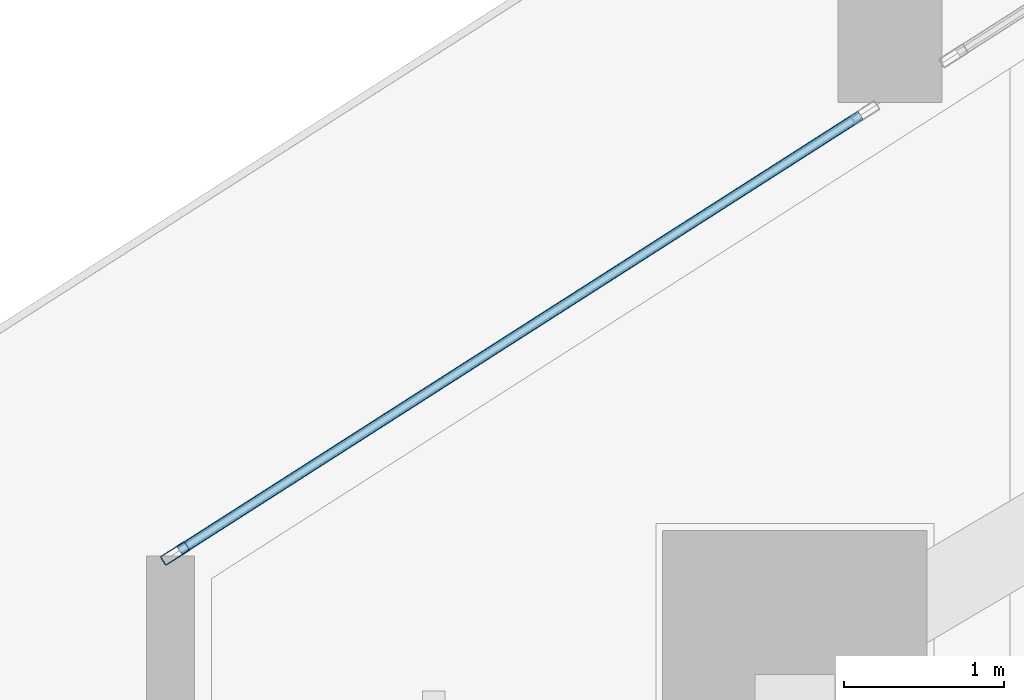
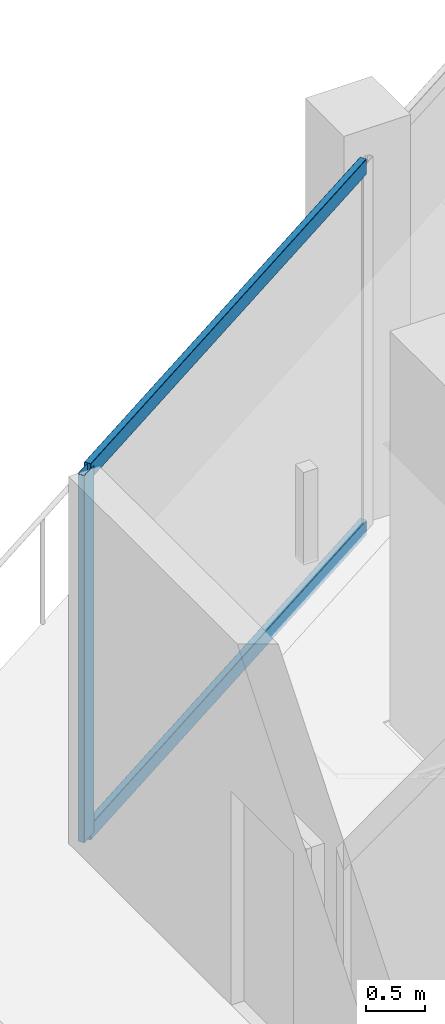
# One storey, part 8 of 33: 3 members, 1 element without a shape of its own.
"""IFC4 building model written with IfcOpenShell, lengths in metres."""

from ifc_helpers import new_model, si_unit, direction, frame, origin, origin_2d, place, context, subcontext, project, spatial, hollow_rectangle, extrude, material, layer, layer_set, material_profile, profile_set, type_object, element, aggregate, save


model = new_model("IFC4")

# Units and contexts
model_context = context("Model", 3, precision=1e-05, world=origin(), true_north=direction((0.0, 1.0)))
body_context = subcontext(model_context, "Body", "Model", "MODEL_VIEW")
ifc_project = project(units=[si_unit("LENGTHUNIT", "METRE"), si_unit("AREAUNIT", "SQUARE_METRE"), si_unit("VOLUMEUNIT", "CUBIC_METRE"), si_unit("PLANEANGLEUNIT", "RADIAN"), si_unit("MASSUNIT", "GRAM", prefix="KILO")], contexts=[model_context])

# Site, building, storey
site_placement = place(None, origin())
site = spatial("IfcSite", under=ifc_project, at=site_placement, CompositionType="ELEMENT")
building_placement = place(site_placement, origin())
building = spatial("IfcBuilding", under=site, at=building_placement, Name="Qorvath Tower", CompositionType="ELEMENT")
storey_placement = place(building_placement, frame((0.0, 0.0, 221.25)))
storey = spatial("IfcBuildingStorey", under=building, at=storey_placement, Name="L51", CompositionType="ELEMENT", Elevation=221.25)

# Curtain wall, members
ifc_material_1 = material(Name="Anodised aluminium and triple low-E glass", Category="aluminium")
ifc_layer = layer(ifc_material_1, 0.179931640625)
ifc_layer_set = layer_set([ifc_layer], Name="CW-SYS-3")
curtain_wall_type = type_object("IfcCurtainWallType", Name="CW-SYS-3", PredefinedType="NOTDEFINED", material=ifc_layer_set)
curtain_wall_placement = place(storey_placement, origin())
curtain_wall = element("IfcCurtainWall", 1, at=curtain_wall_placement, inside=storey, type_object=curtain_wall_type, Name="Curtain Wall CW-3 CW-T-L51-16.2", PredefinedType="NOTDEFINED")
ifc_material_2 = material(Name="Anodised aluminium 6063-T6", Category="aluminium")
ifc_material_profile_1 = material_profile(ifc_material_2, hollow_rectangle(XDim=0.06494140625, YDim=0.179931640625, WallThickness=0.00341796875, InnerFilletRadius=0.00341796875, OuterFilletRadius=0.007080078125, at=origin_2d()), Name="CWM 180x65")
ifc_profile_set_1 = profile_set([ifc_material_profile_1], Name="Anodised aluminium 6063-T6")
member_type_1 = type_object("IfcMemberType", Name="CWM-180", PredefinedType="MULLION", material=ifc_profile_set_1)
member_1_placement = place(storey_placement, frame((-53.04052734375, 3.284423828125, 0.0), z_axis=(0.0, 0.0, 1.0), x_axis=(0.53855312183, -0.842591558804, 0.0)))
member_1 = element("IfcMember", 2, at=member_1_placement, type_object=member_type_1, Name="CW-3 mullion 2", PredefinedType="MULLION", context=body_context, shape_type="SweptSolid", body=[
    extrude(hollow_rectangle(XDim=0.06494140625, YDim=0.179931640625, WallThickness=0.00341796875, InnerFilletRadius=0.00341796875, OuterFilletRadius=0.007080078125, at=origin_2d()), origin(), (0.0, 0.0, 1.0), 3.780029296875),
])
ifc_material_3 = material(Name="Anodised aluminium 6063-T6", Category="aluminium")
ifc_material_profile_2 = material_profile(ifc_material_3, hollow_rectangle(XDim=0.06494140625, YDim=0.159912109375, WallThickness=0.00341796875, InnerFilletRadius=0.00341796875, OuterFilletRadius=0.007080078125, at=origin_2d()), Name="CWT 160x65")
ifc_profile_set_2 = profile_set([ifc_material_profile_2], Name="Anodised aluminium 6063-T6")
member_type_2 = type_object("IfcMemberType", Name="CWT-160", PredefinedType="USERDEFINED", material=ifc_profile_set_2)
member_2_placement = place(storey_placement, frame((-48.760986328125, 6.019775390625, 0.032470703125), z_axis=(-0.842576132209, -0.538577256697, 0.0), x_axis=(0.538577256697, -0.842576132209, 0.0)))
member_2 = element("IfcMember", 3, at=member_2_placement, type_object=member_type_2, Name="CW-3 transom 1.1", ObjectType="TRANSOM", PredefinedType="USERDEFINED", context=body_context, shape_type="SweptSolid", body=[
    extrude(hollow_rectangle(XDim=0.06494140625, YDim=0.159912109375, WallThickness=0.00341796875, InnerFilletRadius=0.00341796875, OuterFilletRadius=0.007080078125, at=origin_2d()), origin(), (0.0, 0.0, 1.0), 5.046630859375),
])
member_3_placement = place(storey_placement, frame((-48.760986328125, 6.019775390625, 3.74755859375), z_axis=(-0.842576132209, -0.538577256697, 0.0), x_axis=(0.538577256697, -0.842576132209, 0.0)))
member_3 = element("IfcMember", 4, at=member_3_placement, type_object=member_type_2, Name="CW-3 transom 1.2", ObjectType="TRANSOM", PredefinedType="USERDEFINED", context=body_context, shape_type="SweptSolid", body=[
    extrude(hollow_rectangle(XDim=0.06494140625, YDim=0.159912109375, WallThickness=0.00341796875, InnerFilletRadius=0.00341796875, OuterFilletRadius=0.007080078125, at=origin_2d()), origin(), (0.0, 0.0, 1.0), 5.046630859375),
])
aggregate(curtain_wall, [member_1, member_2, member_3])

save(model, "model.ifc")
